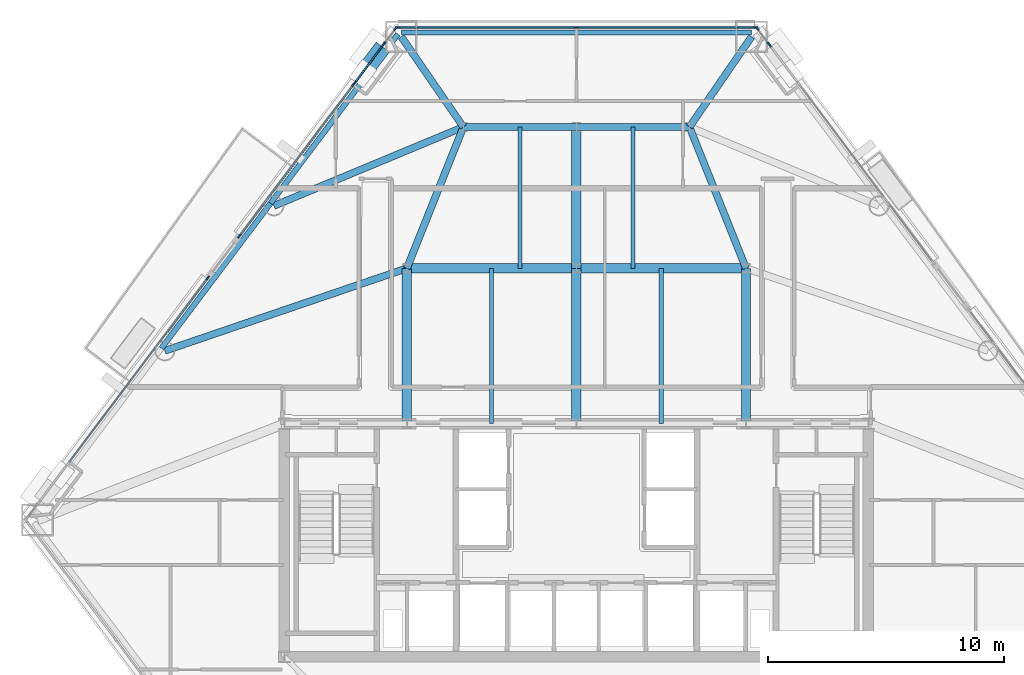
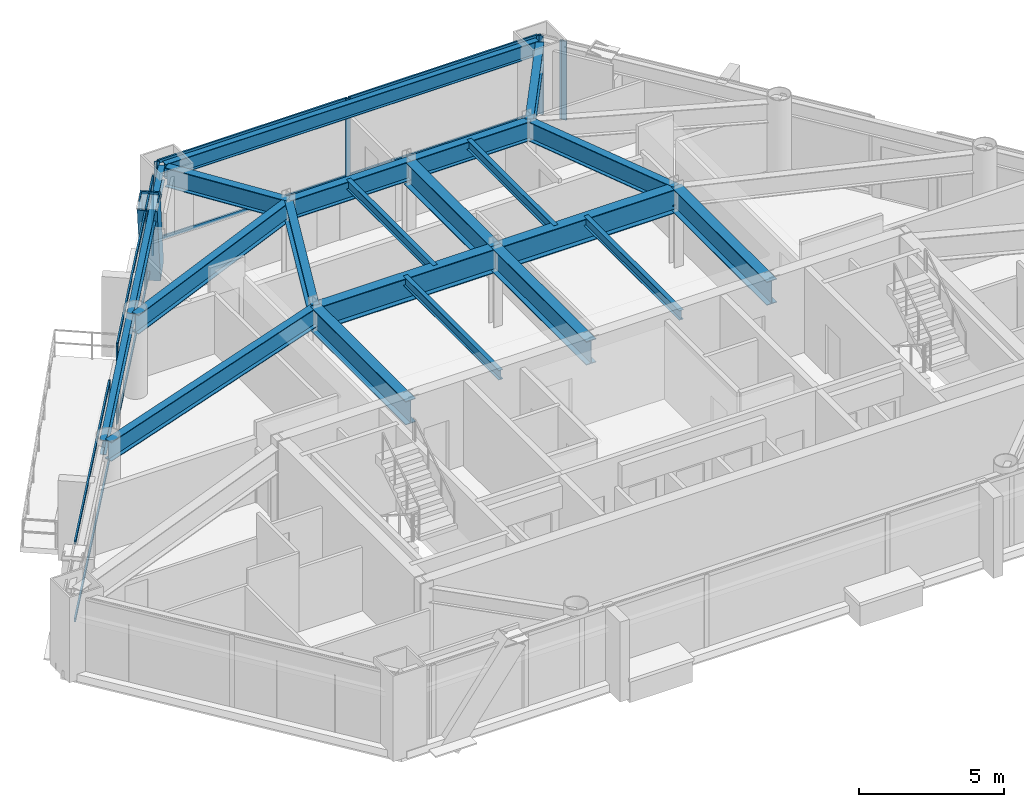
# One storey, part 3 of 14: 24 members, 21 beams, 7 elements without a shape of their own.
"""IFC4 building model written with IfcOpenShell, lengths in metres."""

from ifc_helpers import new_model, si_unit, direction, frame, origin, origin_2d, place, context, subcontext, project, spatial, rectangle, hollow_rectangle, i_section, extrude, material, layer, layer_set, material_profile, profile_set, type_object, element, aggregate, save


model = new_model("IFC4")

# Units and contexts
model_context = context("Model", 3, precision=1e-05, world=origin(), true_north=direction((0.0, 1.0)))
body_context = subcontext(model_context, "Body", "Model", "MODEL_VIEW")
ifc_project = project(units=[si_unit("LENGTHUNIT", "METRE"), si_unit("AREAUNIT", "SQUARE_METRE"), si_unit("VOLUMEUNIT", "CUBIC_METRE"), si_unit("PLANEANGLEUNIT", "RADIAN"), si_unit("MASSUNIT", "GRAM", prefix="KILO")], contexts=[model_context])

# Site, building, storey
site_placement = place(None, origin())
site = spatial("IfcSite", under=ifc_project, at=site_placement, CompositionType="ELEMENT")
building_placement = place(site_placement, origin())
building = spatial("IfcBuilding", under=site, at=building_placement, Name="Talgorran Terracotta Tower", CompositionType="ELEMENT")
storey_placement = place(building_placement, frame((0.0, 0.0, 56.699951171875)))
storey = spatial("IfcBuildingStorey", under=building, at=storey_placement, Name="L14", CompositionType="ELEMENT", Elevation=56.699951171875)

# Beams
ifc_material_1 = material(Name="Steel Grade 350 (350L0)", Category="steel")
ifc_material_profile_1 = material_profile(ifc_material_1, i_section(OverallWidth=0.39990234375, OverallDepth=1.0, WebThickness=0.01611328125, FlangeThickness=0.031005859375, at=origin_2d()), Name="1000WB296")
ifc_profile_set_1 = profile_set([ifc_material_profile_1], Name="Steel Grade 350 (350L0)")
beam_type_1 = type_object("IfcBeamType", Name="BM_1000WB296", PredefinedType="BEAM", material=ifc_profile_set_1)
for number, where, z_axis, x_axis, name in (
    (1, (-7.199951171875, -4.199951171875, 2.820068359375), (0.0, 1.0, 0.0), (-1.0, 0.0, 0.0), "L14 Floor Girder G01"),
    (2, (0.0, -4.199951171875, 2.820068359375), (0.0, 1.0, 0.0), (-1.0, 0.0, 0.0), "L14 Floor Girder G02"),
    (3, (7.199951171875, -4.199951171875, 2.820068359375), (0.0, 1.0, 0.0), (-1.0, 0.0, 0.0), "L14 Floor Girder G03"),
):
    element("IfcBeam", number, at=place(storey_placement, frame(where, z_axis=z_axis, x_axis=x_axis)), inside=storey, type_object=beam_type_1, Name=name, PredefinedType="BEAM", context=body_context, shape_type="SweptSolid", body=[
        extrude(i_section(OverallWidth=0.39990234375, OverallDepth=1.0, WebThickness=0.01611328125, FlangeThickness=0.031005859375, at=origin_2d()), origin(), (0.0, 0.0, 1.0), 6.599853515625),
    ])
for number, where, z_axis, x_axis, name in (
    (4, (-7.199951171875, 2.39990234375, 2.820068359375), (1.0, 0.0, 0.0), (0.0, 1.0, 0.0), "L14 Floor Girder G04"),
    (5, (0.0, 2.39990234375, 2.820068359375), (1.0, 0.0, 0.0), (0.0, 1.0, 0.0), "L14 Floor Girder G05"),
):
    element("IfcBeam", number, at=place(storey_placement, frame(where, z_axis=z_axis, x_axis=x_axis)), inside=storey, type_object=beam_type_1, Name=name, PredefinedType="BEAM", context=body_context, shape_type="SweptSolid", body=[
        extrude(i_section(OverallWidth=0.39990234375, OverallDepth=1.0, WebThickness=0.01611328125, FlangeThickness=0.031005859375, at=origin_2d()), origin(), (0.0, 0.0, 1.0), 7.199951171875),
    ])
beam_1_placement = place(storey_placement, frame((0.0, 2.39990234375, 2.820068359375), z_axis=(0.0, 1.0, 0.0), x_axis=(-1.0, 0.0, 0.0)))
element("IfcBeam", 6, at=beam_1_placement, inside=storey, type_object=beam_type_1, Name="L14 Floor Girder G09", PredefinedType="BEAM", context=body_context, shape_type="SweptSolid", body=[
    extrude(i_section(OverallWidth=0.39990234375, OverallDepth=1.0, WebThickness=0.01611328125, FlangeThickness=0.031005859375, at=origin_2d()), origin(), (0.0, 0.0, 1.0), 6.0),
])
ifc_material_2 = material(Name="Steel S355 (300PLUS)", Category="steel")
ifc_material_profile_2 = material_profile(ifc_material_2, i_section(OverallWidth=0.300048828125, OverallDepth=0.81591796875, WebThickness=0.013916015625, FlangeThickness=0.028076171875, at=origin_2d()), Name="800WB192")
ifc_profile_set_2 = profile_set([ifc_material_profile_2], Name="Steel S355 (300PLUS)")
beam_type_2 = type_object("IfcBeamType", Name="BM_800WB192", PredefinedType="BEAM", material=ifc_profile_set_2)
beam_2_placement = place(storey_placement, frame((-7.199951171875, 2.39990234375, 2.912109375), z_axis=(-0.94650066869, -0.322701850274, 0.0), x_axis=(0.322701850274, -0.94650066869, 0.0)))
element("IfcBeam", 7, at=beam_2_placement, inside=storey, type_object=beam_type_2, Name="L14 Floor Girder G06", PredefinedType="BEAM", context=body_context, shape_type="SweptSolid", body=[
    extrude(i_section(OverallWidth=0.300048828125, OverallDepth=0.81591796875, WebThickness=0.013916015625, FlangeThickness=0.028076171875, at=origin_2d()), origin(), (0.0, 0.0, 1.0), 10.859619140625),
])
for number, where, z_axis, x_axis, name in (
    (8, (-7.199951171875, 2.39990234375, 2.912109375), (0.371377648723, 0.928481901832, 0.0), (-0.928481901832, 0.371377648723, 0.0), "L14 Floor Girder G08"),
    (9, (7.199951171875, 2.39990234375, 2.912109375), (-0.371377648723, 0.928481901832, 0.0), (-0.928481901832, -0.371377648723, 0.0), "L14 Floor Girder G10"),
):
    element("IfcBeam", number, at=place(storey_placement, frame(where, z_axis=z_axis, x_axis=x_axis)), inside=storey, type_object=beam_type_2, Name=name, PredefinedType="BEAM", context=body_context, shape_type="SweptSolid", body=[
        extrude(i_section(OverallWidth=0.300048828125, OverallDepth=0.81591796875, WebThickness=0.013916015625, FlangeThickness=0.028076171875, at=origin_2d()), origin(), (0.0, 0.0, 1.0), 6.462158203125),
    ])
for number, where, z_axis, x_axis, name in (
    (10, (-4.800048828125, 8.39990234375, 2.912109375), (1.0, 0.0, 0.0), (0.0, 1.0, 0.0), "L14 Floor Girder G11"),
    (11, (0.0, 8.39990234375, 2.912109375), (1.0, 0.0, 0.0), (0.0, 1.0, 0.0), "L14 Floor Girder G12"),
):
    element("IfcBeam", number, at=place(storey_placement, frame(where, z_axis=z_axis, x_axis=x_axis)), inside=storey, type_object=beam_type_2, Name=name, PredefinedType="BEAM", context=body_context, shape_type="SweptSolid", body=[
        extrude(i_section(OverallWidth=0.300048828125, OverallDepth=0.81591796875, WebThickness=0.013916015625, FlangeThickness=0.028076171875, at=origin_2d()), origin(), (0.0, 0.0, 1.0), 4.800048828125),
    ])
beam_3_placement = place(storey_placement, frame((-4.800048828125, 8.39990234375, 2.912109375), z_axis=(-0.923207843364, -0.384301025177, 0.0), x_axis=(0.384301025177, -0.923207843364, 0.0)))
element("IfcBeam", 12, at=beam_3_placement, inside=storey, type_object=beam_type_2, Name="L14 Floor Girder G13", PredefinedType="BEAM", context=body_context, shape_type="SweptSolid", body=[
    extrude(i_section(OverallWidth=0.300048828125, OverallDepth=0.81591796875, WebThickness=0.013916015625, FlangeThickness=0.028076171875, at=origin_2d()), origin(), (0.0, 0.0, 1.0), 8.713623046875),
])
for number, where, z_axis, x_axis, name in (
    (13, (-4.800048828125, 8.39990234375, 2.912109375), (-0.56684497014, 0.823824483629, 0.0), (-0.823824483629, -0.56684497014, 0.0), "L14 Floor Girder G15"),
    (14, (4.800048828125, 8.39990234375, 2.912109375), (0.56684497014, 0.823824483629, 0.0), (-0.823824483629, 0.56684497014, 0.0), "L14 Floor Girder G16"),
):
    element("IfcBeam", number, at=place(storey_placement, frame(where, z_axis=z_axis, x_axis=x_axis)), inside=storey, type_object=beam_type_2, Name=name, PredefinedType="BEAM", context=body_context, shape_type="SweptSolid", body=[
        extrude(i_section(OverallWidth=0.300048828125, OverallDepth=0.81591796875, WebThickness=0.013916015625, FlangeThickness=0.028076171875, at=origin_2d()), origin(), (0.0, 0.0, 1.0), 4.6533203125),
    ])
ifc_material_profile_3 = material_profile(ifc_material_2, i_section(OverallWidth=0.177734375, OverallDepth=0.406494140625, WebThickness=0.0078125, FlangeThickness=0.0126953125, at=origin_2d()), Name="410UB59.7")
ifc_profile_set_3 = profile_set([ifc_material_profile_3], Name="Steel S355 (300PLUS)")
beam_type_3 = type_object("IfcBeamType", Name="BM_JS_410UB60", PredefinedType="JOIST", material=ifc_profile_set_3)
for number, where, z_axis, x_axis, name in (
    (15, (-3.60009765625, -4.199951171875, 3.116943359375), (0.0, 1.0, 0.0), (-1.0, 0.0, 0.0), "L14 Secondary Joist J01"),
    (16, (3.60009765625, -4.199951171875, 3.116943359375), (0.0, 1.0, 0.0), (-1.0, 0.0, 0.0), "L14 Secondary Joist J02"),
):
    element("IfcBeam", number, at=place(storey_placement, frame(where, z_axis=z_axis, x_axis=x_axis)), inside=storey, type_object=beam_type_3, Name=name, PredefinedType="JOIST", context=body_context, shape_type="SweptSolid", body=[
        extrude(i_section(OverallWidth=0.177734375, OverallDepth=0.406494140625, WebThickness=0.0078125, FlangeThickness=0.0126953125, at=origin_2d()), origin(), (0.0, 0.0, 1.0), 6.599853515625),
    ])
for number, where, z_axis, x_axis, name in (
    (17, (-2.39990234375, 2.39990234375, 3.116943359375), (0.0, 1.0, 0.0), (-1.0, 0.0, 0.0), "L14 Secondary Joist J03"),
    (18, (2.39990234375, 2.39990234375, 3.116943359375), (0.0, 1.0, 0.0), (-1.0, 0.0, 0.0), "L14 Secondary Joist J04"),
):
    element("IfcBeam", number, at=place(storey_placement, frame(where, z_axis=z_axis, x_axis=x_axis)), inside=storey, type_object=beam_type_3, Name=name, PredefinedType="JOIST", context=body_context, shape_type="SweptSolid", body=[
        extrude(i_section(OverallWidth=0.177734375, OverallDepth=0.406494140625, WebThickness=0.0078125, FlangeThickness=0.0126953125, at=origin_2d()), origin(), (0.0, 0.0, 1.0), 6.0),
    ])
ifc_material_profile_4 = material_profile(ifc_material_2, i_section(OverallWidth=0.22900390625, OverallDepth=0.611572265625, WebThickness=0.011962890625, FlangeThickness=0.01953125, at=origin_2d()), Name="610UB125")
ifc_profile_set_4 = profile_set([ifc_material_profile_4], Name="Steel S355 (300PLUS)")
beam_type_4 = type_object("IfcBeamType", Name="BM_SP_610UB125", PredefinedType="SPANDREL", material=ifc_profile_set_4)
beam_4_placement = place(storey_placement, frame((7.437744140625, 12.413330078125, 3.01416015625), z_axis=(-1.0, 0.0, 0.0), x_axis=(0.0, -1.0, 0.0)))
element("IfcBeam", 19, at=beam_4_placement, inside=storey, type_object=beam_type_4, Name="L14 Perimeter Spandrel Beam MC5-MC6", PredefinedType="SPANDREL", context=body_context, shape_type="SweptSolid", body=[
    extrude(i_section(OverallWidth=0.22900390625, OverallDepth=0.611572265625, WebThickness=0.011962890625, FlangeThickness=0.01953125, at=origin_2d()), origin(), (0.0, 0.0, 1.0), 14.87548828125),
])
beam_5_placement = place(storey_placement, frame((-7.58154296875, 12.341552734375, 3.01416015625), z_axis=(-0.601446008666, -0.798913448791, 0.0), x_axis=(0.798913448791, -0.601446008666, 0.0)))
element("IfcBeam", 20, at=beam_5_placement, inside=storey, type_object=beam_type_4, Name="L14 Perimeter Spandrel Beam MC6-FC5", PredefinedType="SPANDREL", context=body_context, shape_type="SweptSolid", body=[
    extrude(i_section(OverallWidth=0.22900390625, OverallDepth=0.611572265625, WebThickness=0.011962890625, FlangeThickness=0.01953125, at=origin_2d()), origin(), (0.0, 0.0, 1.0), 8.989501953125),
])
beam_6_placement = place(storey_placement, frame((-12.98828125, 5.15966796875, 3.01416015625), z_axis=(-0.601413481794, -0.798937934959, 0.0), x_axis=(0.798937934959, -0.601413481794, 0.0)))
element("IfcBeam", 21, at=beam_6_placement, inside=storey, type_object=beam_type_4, Name="L14 Perimeter Spandrel Beam FC5-FC6", PredefinedType="SPANDREL", context=body_context, shape_type="SweptSolid", body=[
    extrude(i_section(OverallWidth=0.22900390625, OverallDepth=0.611572265625, WebThickness=0.011962890625, FlangeThickness=0.01953125, at=origin_2d()), origin(), (0.0, 0.0, 1.0), 7.705322265625),
])

# Member
ifc_material_profile_5 = material_profile(ifc_material_1, hollow_rectangle(XDim=0.699951171875, YDim=0.89990234375, WallThickness=0.050048828125, at=origin_2d()), Name="WBOX900X700X50")
ifc_profile_set_5 = profile_set([ifc_material_profile_5], Name="Steel Grade 350 (350L0)")
member_type_1 = type_object("IfcMemberType", Name="MB_MEGA_900", PredefinedType="BRACE", material=ifc_profile_set_5)
member_1_placement = place(storey_placement, frame((-8.481689453125, 11.44482421875, -0.27001953125), z_axis=(-0.15547067581, -0.206424346732, 0.966032017088), x_axis=(0.798786555616, -0.601614526559, 0.0)))
element("IfcMember", 22, at=member_1_placement, inside=storey, type_object=member_type_1, Name="L14 Exterior Face Mega-Brace MB-1 (NWU)", PredefinedType="BRACE", context=body_context, shape_type="SweptSolid", body=[
    extrude(hollow_rectangle(XDim=0.699951171875, YDim=0.89990234375, WallThickness=0.050048828125, at=origin_2d()), origin(), (0.0, 0.0, 1.0), 3.7421875),
])

# Curtain wall, member
ifc_material_3 = material(Name="Unitised Low-E Double Glazing", Category="glass")
ifc_layer = layer(ifc_material_3, 0.199951171875, Name="CW_SYS2_RES_LOW")
ifc_layer_set = layer_set([ifc_layer], Name="Unitised Low-E Double Glazing")
curtain_wall_type = type_object("IfcCurtainWallType", Name="CW_SYS2_RES_LOW", PredefinedType="NOTDEFINED", material=ifc_layer_set)
curtain_wall_1_placement = place(storey_placement, origin())
curtain_wall_1 = element("IfcCurtainWall", 23, at=curtain_wall_1_placement, inside=storey, type_object=curtain_wall_type, Name="CW-L14-F41B", PredefinedType="NOTDEFINED")
ifc_material_4 = material(Name="Architectural Aluminium 6063-T6", Category="aluminium")
ifc_material_profile_6 = material_profile(ifc_material_4, rectangle(XDim=0.06494140625, YDim=0.18505859375, at=origin_2d()), Name="CWM65X185")
ifc_profile_set_6 = profile_set([ifc_material_profile_6], Name="Architectural Aluminium 6063-T6")
member_type_2 = type_object("IfcMemberType", Name="MUL_65X185", PredefinedType="MULLION", material=ifc_profile_set_6)
member_2_placement = place(storey_placement, frame((8.209228515625, 11.873291015625, 0.0), z_axis=(0.0, 0.0, 1.0), x_axis=(-0.798916852976, -0.601441486788, 0.0)))
member_2 = element("IfcMember", 24, at=member_2_placement, type_object=member_type_2, Name="CW-L14-41B mullion 2", PredefinedType="MULLION", context=body_context, shape_type="SweptSolid", body=[
    extrude(rectangle(XDim=0.06494140625, YDim=0.18505859375, at=origin_2d()), origin(), (0.0, 0.0, 1.0), 3.320068359375),
])
aggregate(curtain_wall_1, [member_2])

# Curtain wall, members
curtain_wall_2_placement = place(storey_placement, origin())
curtain_wall_2 = element("IfcCurtainWall", 25, at=curtain_wall_2_placement, inside=storey, type_object=curtain_wall_type, Name="CW-L14-F41C", PredefinedType="NOTDEFINED")
member_3_placement = place(storey_placement, frame((8.164306640625, 11.93310546875, 0.0), z_axis=(0.0, 0.0, 1.0), x_axis=(-0.798935184433, -0.601417135668, 0.0)))
member_3 = element("IfcMember", 26, at=member_3_placement, type_object=member_type_2, Name="CW-L14-41C mullion 1", PredefinedType="MULLION", context=body_context, shape_type="SweptSolid", body=[
    extrude(rectangle(XDim=0.06494140625, YDim=0.18505859375, at=origin_2d()), origin(), (0.0, 0.0, 1.0), 3.320068359375),
])
member_4_placement = place(storey_placement, frame((7.680908203125, 12.575439453125, 0.0), z_axis=(0.0, 0.0, 1.0), x_axis=(-0.798935184433, -0.601417135668, 0.0)))
member_4 = element("IfcMember", 27, at=member_4_placement, type_object=member_type_2, Name="CW-L14-41C mullion 2", PredefinedType="MULLION", context=body_context, shape_type="SweptSolid", body=[
    extrude(rectangle(XDim=0.06494140625, YDim=0.18505859375, at=origin_2d()), origin(), (0.0, 0.0, 1.0), 3.320068359375),
])
aggregate(curtain_wall_2, [member_3, member_4])

curtain_wall_3_placement = place(storey_placement, origin())
curtain_wall_3 = element("IfcCurtainWall", 28, at=curtain_wall_3_placement, inside=storey, type_object=curtain_wall_type, Name="CW-L14-F4", PredefinedType="NOTDEFINED")
member_5_placement = place(storey_placement, frame((7.604736328125, 12.63330078125, 0.0), z_axis=(0.0, 0.0, 1.0), x_axis=(0.0, -1.0, 0.0)))
member_5 = element("IfcMember", 29, at=member_5_placement, type_object=member_type_2, Name="CW-L14-4 mullion 1", PredefinedType="MULLION", context=body_context, shape_type="SweptSolid", body=[
    extrude(rectangle(XDim=0.06494140625, YDim=0.18505859375, at=origin_2d()), origin(), (0.0, 0.0, 1.0), 3.320068359375),
])
member_6_placement = place(storey_placement, frame((0.0, 12.63330078125, 0.0), z_axis=(0.0, 0.0, 1.0), x_axis=(0.0, -1.0, 0.0)))
member_6 = element("IfcMember", 30, at=member_6_placement, type_object=member_type_2, Name="CW-L14-4 mullion 2", PredefinedType="MULLION", context=body_context, shape_type="SweptSolid", body=[
    extrude(rectangle(XDim=0.06494140625, YDim=0.18505859375, at=origin_2d()), origin(), (0.0, 0.0, 1.0), 3.320068359375),
])
member_7_placement = place(storey_placement, frame((-7.604736328125, 12.63330078125, 0.0), z_axis=(0.0, 0.0, 1.0), x_axis=(0.0, -1.0, 0.0)))
member_7 = element("IfcMember", 31, at=member_7_placement, type_object=member_type_2, Name="CW-L14-4 mullion 3", PredefinedType="MULLION", context=body_context, shape_type="SweptSolid", body=[
    extrude(rectangle(XDim=0.06494140625, YDim=0.18505859375, at=origin_2d()), origin(), (0.0, 0.0, 1.0), 3.320068359375),
])

curtain_wall_4_placement = place(storey_placement, origin())
curtain_wall_4 = element("IfcCurtainWall", 32, at=curtain_wall_4_placement, inside=storey, type_object=curtain_wall_type, Name="CW-L14-F60", PredefinedType="NOTDEFINED")
member_8_placement = place(storey_placement, frame((-7.680908203125, 12.575439453125, 0.0), z_axis=(0.0, 0.0, 1.0), x_axis=(0.798935184433, -0.601417135668, 0.0)))
member_8 = element("IfcMember", 33, at=member_8_placement, type_object=member_type_2, Name="CW-L14-60 mullion 1", PredefinedType="MULLION", context=body_context, shape_type="SweptSolid", body=[
    extrude(rectangle(XDim=0.06494140625, YDim=0.18505859375, at=origin_2d()), origin(), (0.0, 0.0, 1.0), 3.320068359375),
])
member_9_placement = place(storey_placement, frame((-8.164306640625, 11.93310546875, 0.0), z_axis=(0.0, 0.0, 1.0), x_axis=(0.798935184433, -0.601417135668, 0.0)))
member_9 = element("IfcMember", 34, at=member_9_placement, type_object=member_type_2, Name="CW-L14-60 mullion 2", PredefinedType="MULLION", context=body_context, shape_type="SweptSolid", body=[
    extrude(rectangle(XDim=0.06494140625, YDim=0.18505859375, at=origin_2d()), origin(), (0.0, 0.0, 1.0), 3.320068359375),
])
aggregate(curtain_wall_4, [member_8, member_9])

curtain_wall_5_placement = place(storey_placement, origin())
curtain_wall_5 = element("IfcCurtainWall", 35, at=curtain_wall_5_placement, inside=storey, type_object=curtain_wall_type, Name="CW-L14-F60B", PredefinedType="NOTDEFINED")
member_10_placement = place(storey_placement, frame((-8.209228515625, 11.873291015625, 0.0), z_axis=(0.0, 0.0, 1.0), x_axis=(0.798916852976, -0.601441486788, 0.0)))
member_10 = element("IfcMember", 36, at=member_10_placement, type_object=member_type_2, Name="CW-L14-60B mullion 1", PredefinedType="MULLION", context=body_context, shape_type="SweptSolid", body=[
    extrude(rectangle(XDim=0.06494140625, YDim=0.18505859375, at=origin_2d()), origin(), (0.0, 0.0, 1.0), 3.320068359375),
])
member_11_placement = place(storey_placement, frame((-9.424560546875, 10.25927734375, 0.0), z_axis=(0.0, 0.0, 1.0), x_axis=(0.798916852976, -0.601441486788, 0.0)))
member_11 = element("IfcMember", 37, at=member_11_placement, type_object=member_type_2, Name="CW-L14-60B mullion 2", PredefinedType="MULLION", context=body_context, shape_type="SweptSolid", body=[
    extrude(rectangle(XDim=0.06494140625, YDim=0.18505859375, at=origin_2d()), origin(), (0.0, 0.0, 1.0), 3.320068359375),
])

curtain_wall_6_placement = place(storey_placement, origin())
curtain_wall_6 = element("IfcCurtainWall", 38, at=curtain_wall_6_placement, inside=storey, type_object=curtain_wall_type, Name="CW-L14-F60C", PredefinedType="NOTDEFINED")
member_12_placement = place(storey_placement, frame((-9.469482421875, 10.19921875, 0.0), z_axis=(0.0, 0.0, 1.0), x_axis=(0.798918254762, -0.601439624741, 0.0)))
member_12 = element("IfcMember", 39, at=member_12_placement, type_object=member_type_2, Name="CW-L14-60C mullion 1", PredefinedType="MULLION", context=body_context, shape_type="SweptSolid", body=[
    extrude(rectangle(XDim=0.06494140625, YDim=0.18505859375, at=origin_2d()), origin(), (0.0, 0.0, 1.0), 3.320068359375),
])
member_13_placement = place(storey_placement, frame((-14.3134765625, 3.764892578125, 0.0), z_axis=(0.0, 0.0, 1.0), x_axis=(0.798918254762, -0.601439624741, 0.0)))
member_13 = element("IfcMember", 40, at=member_13_placement, type_object=member_type_2, Name="CW-L14-60C mullion 2", PredefinedType="MULLION", context=body_context, shape_type="SweptSolid", body=[
    extrude(rectangle(XDim=0.06494140625, YDim=0.18505859375, at=origin_2d()), origin(), (0.0, 0.0, 1.0), 3.320068359375),
])

# Curtain wall, member
curtain_wall_7_placement = place(storey_placement, origin())
curtain_wall_7 = element("IfcCurtainWall", 41, at=curtain_wall_7_placement, inside=storey, type_object=curtain_wall_type, Name="CW-L14-F61", PredefinedType="NOTDEFINED")
member_14_placement = place(storey_placement, frame((-15.651611328125, 1.9873046875, 0.0), z_axis=(0.0, 0.0, 1.0), x_axis=(0.798917628672, -0.601440456402, 0.0)))
member_14 = element("IfcMember", 42, at=member_14_placement, type_object=member_type_2, Name="CW-L14-61 mullion 1", PredefinedType="MULLION", context=body_context, shape_type="SweptSolid", body=[
    extrude(rectangle(XDim=0.06494140625, YDim=0.18505859375, at=origin_2d()), origin(), (0.0, 0.0, 1.0), 3.320068359375),
])

# Member
ifc_material_profile_7 = material_profile(ifc_material_4, rectangle(XDim=0.06494140625, YDim=0.14990234375, at=origin_2d()), Name="CWT65X150")
ifc_profile_set_7 = profile_set([ifc_material_profile_7], Name="Architectural Aluminium 6063-T6")
member_type_3 = type_object("IfcMemberType", Name="TRN_65X150", PredefinedType="USERDEFINED", material=ifc_profile_set_7)
member_15_placement = place(storey_placement, frame((7.572265625, 12.63330078125, 0.032470703125), z_axis=(-1.0, 0.0, 0.0), x_axis=(0.0, -1.0, 0.0)))
member_15 = element("IfcMember", 43, at=member_15_placement, type_object=member_type_3, Name="CW-L14-4 transom 1.1", ObjectType="TRANSOM", PredefinedType="USERDEFINED", context=body_context, shape_type="SweptSolid", body=[
    extrude(rectangle(XDim=0.06494140625, YDim=0.14990234375, at=origin_2d()), origin(), (0.0, 0.0, 1.0), 7.539794921875),
])

member_16_placement = place(storey_placement, frame((7.572265625, 12.63330078125, 3.28759765625), z_axis=(-1.0, 0.0, 0.0), x_axis=(0.0, -1.0, 0.0)))
member_16 = element("IfcMember", 44, at=member_16_placement, type_object=member_type_3, Name="CW-L14-4 transom 1.2", ObjectType="TRANSOM", PredefinedType="USERDEFINED", context=body_context, shape_type="SweptSolid", body=[
    extrude(rectangle(XDim=0.06494140625, YDim=0.14990234375, at=origin_2d()), origin(), (0.0, 0.0, 1.0), 7.539794921875),
])

member_17_placement = place(storey_placement, frame((-0.032470703125, 12.63330078125, 0.032470703125), z_axis=(-1.0, 0.0, 0.0), x_axis=(0.0, -1.0, 0.0)))
member_17 = element("IfcMember", 45, at=member_17_placement, type_object=member_type_3, Name="CW-L14-4 transom 2.1", ObjectType="TRANSOM", PredefinedType="USERDEFINED", context=body_context, shape_type="SweptSolid", body=[
    extrude(rectangle(XDim=0.06494140625, YDim=0.14990234375, at=origin_2d()), origin(), (0.0, 0.0, 1.0), 7.539794921875),
])

member_18_placement = place(storey_placement, frame((-0.032470703125, 12.63330078125, 3.28759765625), z_axis=(-1.0, 0.0, 0.0), x_axis=(0.0, -1.0, 0.0)))
member_18 = element("IfcMember", 46, at=member_18_placement, type_object=member_type_3, Name="CW-L14-4 transom 2.2", ObjectType="TRANSOM", PredefinedType="USERDEFINED", context=body_context, shape_type="SweptSolid", body=[
    extrude(rectangle(XDim=0.06494140625, YDim=0.14990234375, at=origin_2d()), origin(), (0.0, 0.0, 1.0), 7.539794921875),
])

aggregate(curtain_wall_3, [member_5, member_6, member_7, member_15, member_16, member_17, member_18])

member_19_placement = place(storey_placement, frame((-8.22900390625, 11.84716796875, 0.032470703125), z_axis=(-0.601397682348, -0.798949828003, 0.0), x_axis=(0.798949828003, -0.601397682348, 0.0)))
member_19 = element("IfcMember", 47, at=member_19_placement, type_object=member_type_3, Name="CW-L14-60B transom 1.1", ObjectType="TRANSOM", PredefinedType="USERDEFINED", context=body_context, shape_type="SweptSolid", body=[
    extrude(rectangle(XDim=0.06494140625, YDim=0.14990234375, at=origin_2d()), origin(), (0.0, 0.0, 1.0), 1.955078125),
])

member_20_placement = place(storey_placement, frame((-8.22900390625, 11.84716796875, 3.28759765625), z_axis=(-0.601397682348, -0.798949828003, 0.0), x_axis=(0.798949828003, -0.601397682348, 0.0)))
member_20 = element("IfcMember", 48, at=member_20_placement, type_object=member_type_3, Name="CW-L14-60B transom 1.2", ObjectType="TRANSOM", PredefinedType="USERDEFINED", context=body_context, shape_type="SweptSolid", body=[
    extrude(rectangle(XDim=0.06494140625, YDim=0.14990234375, at=origin_2d()), origin(), (0.0, 0.0, 1.0), 1.955078125),
])

aggregate(curtain_wall_5, [member_10, member_11, member_19, member_20])

member_21_placement = place(storey_placement, frame((-9.489013671875, 10.17333984375, 0.032470703125), z_axis=(-0.601441432938, -0.798916893516, 0.0), x_axis=(0.798916893516, -0.601441432938, 0.0)))
member_21 = element("IfcMember", 49, at=member_21_placement, type_object=member_type_3, Name="CW-L14-60C transom 1.1", ObjectType="TRANSOM", PredefinedType="USERDEFINED", context=body_context, shape_type="SweptSolid", body=[
    extrude(rectangle(XDim=0.06494140625, YDim=0.14990234375, at=origin_2d()), origin(), (0.0, 0.0, 1.0), 7.989013671875),
])

member_22_placement = place(storey_placement, frame((-9.489013671875, 10.17333984375, 3.28759765625), z_axis=(-0.601441432938, -0.798916893516, 0.0), x_axis=(0.798916893516, -0.601441432938, 0.0)))
member_22 = element("IfcMember", 50, at=member_22_placement, type_object=member_type_3, Name="CW-L14-60C transom 1.2", ObjectType="TRANSOM", PredefinedType="USERDEFINED", context=body_context, shape_type="SweptSolid", body=[
    extrude(rectangle(XDim=0.06494140625, YDim=0.14990234375, at=origin_2d()), origin(), (0.0, 0.0, 1.0), 7.989013671875),
])

aggregate(curtain_wall_6, [member_12, member_13, member_21, member_22])

member_23_placement = place(storey_placement, frame((-15.671142578125, 1.96142578125, 0.032470703125), z_axis=(-0.601451118664, -0.798909601806, 0.0), x_axis=(0.798909601806, -0.601451118664, 0.0)))
member_23 = element("IfcMember", 51, at=member_23_placement, type_object=member_type_3, Name="CW-L14-61 transom 1.1", ObjectType="TRANSOM", PredefinedType="USERDEFINED", context=body_context, shape_type="SweptSolid", body=[
    extrude(rectangle(XDim=0.06494140625, YDim=0.14990234375, at=origin_2d()), origin(), (0.0, 0.0, 1.0), 9.738037109375),
])

member_24_placement = place(storey_placement, frame((-15.671142578125, 1.96142578125, 3.28759765625), z_axis=(-0.601451118664, -0.798909601806, 0.0), x_axis=(0.798909601806, -0.601451118664, 0.0)))
member_24 = element("IfcMember", 52, at=member_24_placement, type_object=member_type_3, Name="CW-L14-61 transom 1.2", ObjectType="TRANSOM", PredefinedType="USERDEFINED", context=body_context, shape_type="SweptSolid", body=[
    extrude(rectangle(XDim=0.06494140625, YDim=0.14990234375, at=origin_2d()), origin(), (0.0, 0.0, 1.0), 9.738037109375),
])

aggregate(curtain_wall_7, [member_14, member_23, member_24])

save(model, "model.ifc")
